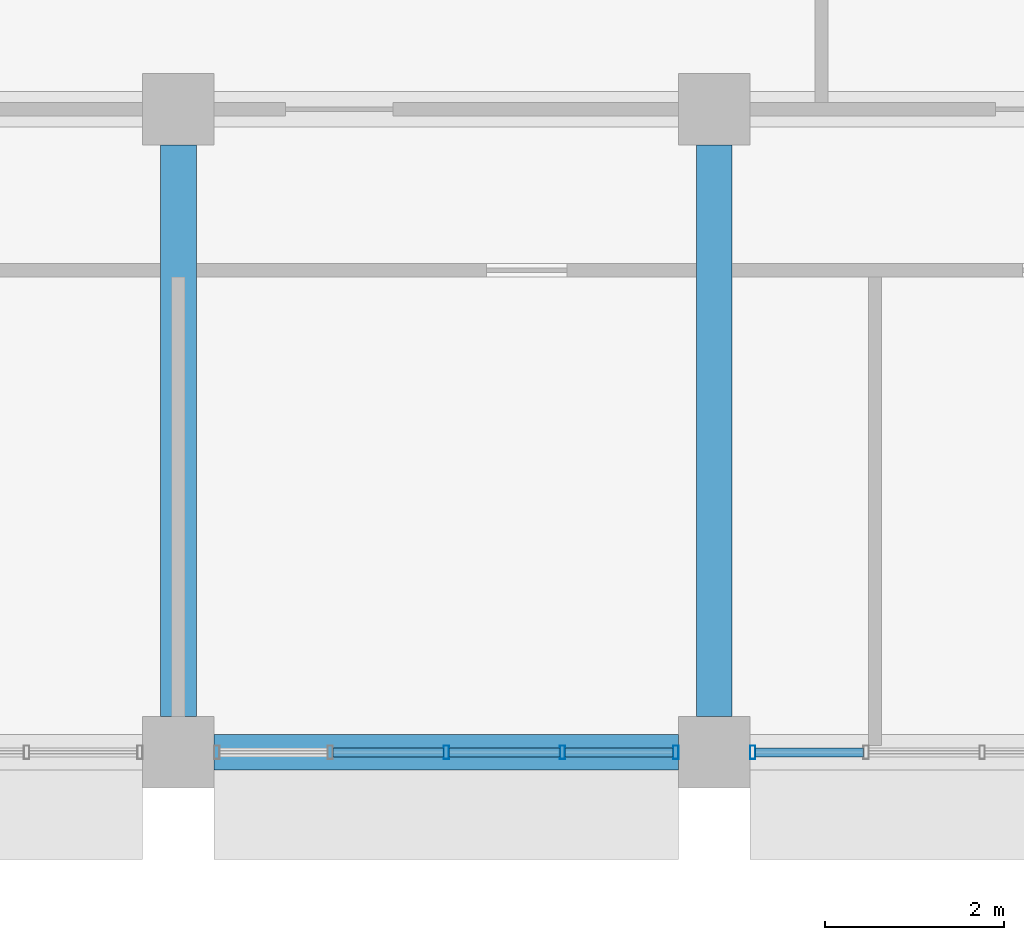
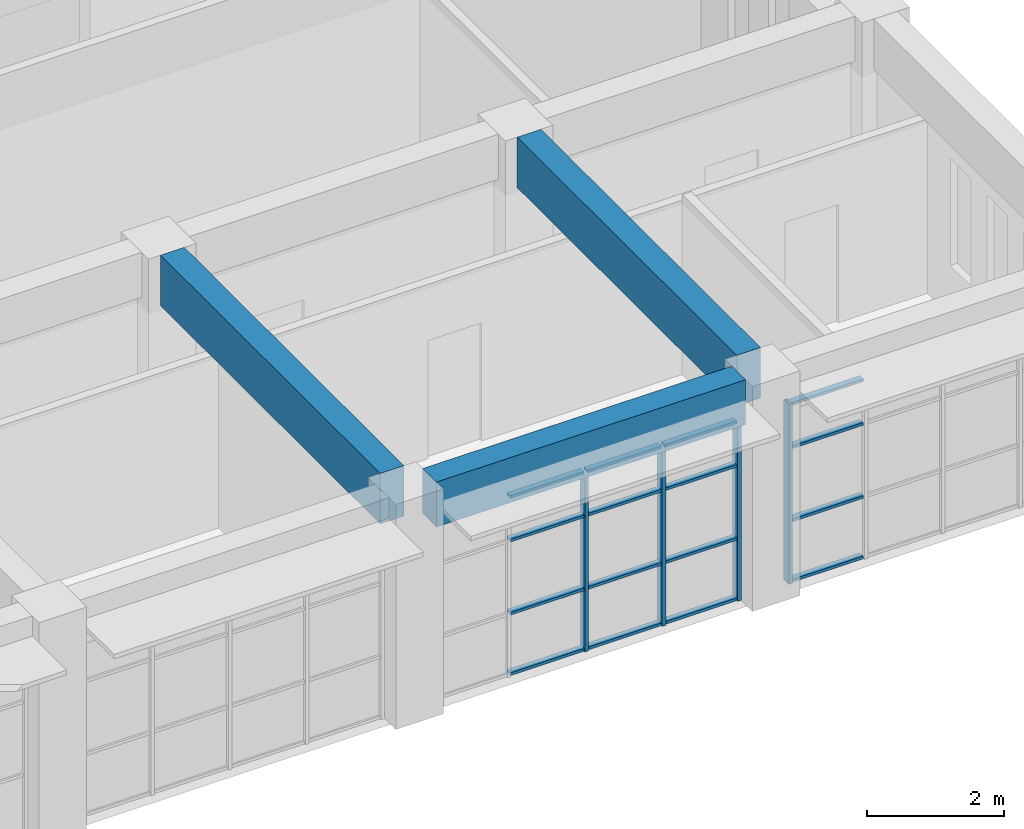
# One storey, part 14 of 47: 20 members, 3 beams, 2 elements without a shape of their own.
"""IFC4 building model written with IfcOpenShell, lengths in metres."""

from ifc_helpers import new_model, si_unit, direction, frame, origin, origin_2d, place, context, subcontext, project, spatial, rectangle, hollow_rectangle, extrude, material, material_profile, profile_set, type_object, element, aggregate, save


model = new_model("IFC4")

# Units and contexts
model_context = context("Model", 3, precision=1e-05, world=origin(), true_north=direction((0.0, 1.0)))
body_context = subcontext(model_context, "Body", "Model", "MODEL_VIEW")
ifc_project = project(units=[si_unit("LENGTHUNIT", "METRE"), si_unit("AREAUNIT", "SQUARE_METRE"), si_unit("VOLUMEUNIT", "CUBIC_METRE"), si_unit("PLANEANGLEUNIT", "RADIAN"), si_unit("MASSUNIT", "GRAM", prefix="KILO")], contexts=[model_context])

# Site, building, storey
site_placement = place(None, origin())
site = spatial("IfcSite", under=ifc_project, at=site_placement, CompositionType="ELEMENT")
building_placement = place(site_placement, origin())
building = spatial("IfcBuilding", under=site, at=building_placement, Name="Laocheng Heights Fire and Rescue Headquarters", CompositionType="ELEMENT")
storey_placement = place(building_placement, frame((0.0, 0.0, 16.800048828125)))
storey = spatial("IfcBuildingStorey", under=building, at=storey_placement, Name="L04", CompositionType="ELEMENT", Elevation=16.800048828125)

# Curtain wall, members
ifc_material_1 = material(Name="Dark anodised aluminium unitised curtain wall, low-e double glazing", Category="aluminium")
curtain_wall_type = type_object("IfcCurtainWallType", Name="CW 5200 x 3200 HQ SOUTH RIBBON", PredefinedType="NOTDEFINED", material=ifc_material_1)
curtain_wall_1_placement = place(storey_placement, origin())
curtain_wall_1 = element("IfcCurtainWall", 1, at=curtain_wall_1_placement, inside=storey, type_object=curtain_wall_type, Name="X13-X HQ SOUTH L04", PredefinedType="NOTDEFINED")
ifc_material_2 = material(Name="Dark anodised aluminium 6063-T5 extrusion", Category="aluminium")
ifc_material_profile_1 = material_profile(ifc_material_2, hollow_rectangle(XDim=0.14990234375, YDim=0.06005859375, WallThickness=0.0029296875, at=origin_2d()), Name="AL MULLION 150x60x3 HQ SOUTH RIBBON")
ifc_profile_set_1 = profile_set([ifc_material_profile_1], Name="Dark anodised aluminium 6063-T5 extrusion")
member_type_1 = type_object("IfcMemberType", Name="AL MULLION 150x60x3 HQ SOUTH RIBBON", PredefinedType="MULLION", material=ifc_profile_set_1)
member_1_placement = place(storey_placement, frame((75.0, 50.39990234375, 0.0), z_axis=(0.0, 0.0, 1.0), x_axis=(0.0, 1.0, 0.0)))
member_1 = element("IfcMember", 2, at=member_1_placement, type_object=member_type_1, Name="X13-X mullion 3", PredefinedType="MULLION", context=body_context, shape_type="SweptSolid", body=[
    extrude(hollow_rectangle(XDim=0.14990234375, YDim=0.06005859375, WallThickness=0.0029296875, at=origin_2d()), origin(), (0.0, 0.0, 1.0), 3.199951171875),
])
member_2_placement = place(storey_placement, frame((76.300048828125, 50.39990234375, 0.0), z_axis=(0.0, 0.0, 1.0), x_axis=(0.0, 1.0, 0.0)))
member_2 = element("IfcMember", 3, at=member_2_placement, type_object=member_type_1, Name="X13-X mullion 4", PredefinedType="MULLION", context=body_context, shape_type="SweptSolid", body=[
    extrude(hollow_rectangle(XDim=0.14990234375, YDim=0.06005859375, WallThickness=0.0029296875, at=origin_2d()), origin(), (0.0, 0.0, 1.0), 3.199951171875),
])
member_3_placement = place(storey_placement, frame((77.570068359375, 50.39990234375, 0.0), z_axis=(0.0, 0.0, 1.0), x_axis=(0.0, 1.0, 0.0)))
member_3 = element("IfcMember", 4, at=member_3_placement, type_object=member_type_1, Name="X13-X mullion 5", PredefinedType="MULLION", context=body_context, shape_type="SweptSolid", body=[
    extrude(hollow_rectangle(XDim=0.14990234375, YDim=0.06005859375, WallThickness=0.0029296875, at=origin_2d()), origin(), (0.0, 0.0, 1.0), 3.199951171875),
])

# Curtain wall, member
curtain_wall_2_placement = place(storey_placement, origin())
curtain_wall_2 = element("IfcCurtainWall", 5, at=curtain_wall_2_placement, inside=storey, type_object=curtain_wall_type, Name="X13-X HQ SOUTH L04", PredefinedType="NOTDEFINED")
member_4_placement = place(storey_placement, frame((78.429931640625, 50.39990234375, 0.0), z_axis=(0.0, 0.0, 1.0), x_axis=(0.0, 1.0, 0.0)))
member_4 = element("IfcMember", 6, at=member_4_placement, type_object=member_type_1, Name="X13-X mullion 1", PredefinedType="MULLION", context=body_context, shape_type="SweptSolid", body=[
    extrude(hollow_rectangle(XDim=0.14990234375, YDim=0.06005859375, WallThickness=0.0029296875, at=origin_2d()), origin(), (0.0, 0.0, 1.0), 3.199951171875),
])

# Member
ifc_material_3 = material(Name="Dark anodised aluminium 6063-T5 extrusion", Category="aluminium")
ifc_material_profile_2 = material_profile(ifc_material_3, hollow_rectangle(XDim=0.10009765625, YDim=0.050048828125, WallThickness=0.0029296875, at=origin_2d()), Name="AL TRANSOM 100x50x3 HQ SOUTH RIBBON")
ifc_profile_set_2 = profile_set([ifc_material_profile_2], Name="Dark anodised aluminium 6063-T5 extrusion")
member_type_2 = type_object("IfcMemberType", Name="AL TRANSOM 100x50x3 HQ SOUTH RIBBON", PredefinedType="USERDEFINED", material=ifc_profile_set_2)
member_5_placement = place(storey_placement, frame((73.72998046875, 50.39990234375, 0.02490234375), z_axis=(1.0, 0.0, 0.0), x_axis=(0.0, 1.0, 0.0)))
member_5 = element("IfcMember", 7, at=member_5_placement, type_object=member_type_2, Name="X13-X transom 2.1", ObjectType="TRANSOM", PredefinedType="USERDEFINED", context=body_context, shape_type="SweptSolid", body=[
    extrude(hollow_rectangle(XDim=0.10009765625, YDim=0.050048828125, WallThickness=0.0029296875, at=origin_2d()), origin(), (0.0, 0.0, 1.0), 1.239990234375),
])

member_6_placement = place(storey_placement, frame((73.72998046875, 50.39990234375, 1.099853515625), z_axis=(1.0, 0.0, 0.0), x_axis=(0.0, 1.0, 0.0)))
member_6 = element("IfcMember", 8, at=member_6_placement, type_object=member_type_2, Name="X13-X transom 2.2", ObjectType="TRANSOM", PredefinedType="USERDEFINED", context=body_context, shape_type="SweptSolid", body=[
    extrude(hollow_rectangle(XDim=0.10009765625, YDim=0.050048828125, WallThickness=0.0029296875, at=origin_2d()), origin(), (0.0, 0.0, 1.0), 1.239990234375),
])

member_7_placement = place(storey_placement, frame((73.72998046875, 50.39990234375, 2.39990234375), z_axis=(1.0, 0.0, 0.0), x_axis=(0.0, 1.0, 0.0)))
member_7 = element("IfcMember", 9, at=member_7_placement, type_object=member_type_2, Name="X13-X transom 2.3", ObjectType="TRANSOM", PredefinedType="USERDEFINED", context=body_context, shape_type="SweptSolid", body=[
    extrude(hollow_rectangle(XDim=0.10009765625, YDim=0.050048828125, WallThickness=0.0029296875, at=origin_2d()), origin(), (0.0, 0.0, 1.0), 1.239990234375),
])

member_8_placement = place(storey_placement, frame((73.72998046875, 50.39990234375, 3.175048828125), z_axis=(1.0, 0.0, 0.0), x_axis=(0.0, 1.0, 0.0)))
member_8 = element("IfcMember", 10, at=member_8_placement, type_object=member_type_2, Name="X13-X transom 2.4", ObjectType="TRANSOM", PredefinedType="USERDEFINED", context=body_context, shape_type="SweptSolid", body=[
    extrude(hollow_rectangle(XDim=0.10009765625, YDim=0.050048828125, WallThickness=0.0029296875, at=origin_2d()), origin(), (0.0, 0.0, 1.0), 1.239990234375),
])

member_9_placement = place(storey_placement, frame((75.030029296875, 50.39990234375, 0.02490234375), z_axis=(1.0, 0.0, 0.0), x_axis=(0.0, 1.0, 0.0)))
member_9 = element("IfcMember", 11, at=member_9_placement, type_object=member_type_2, Name="X13-X transom 3.1", ObjectType="TRANSOM", PredefinedType="USERDEFINED", context=body_context, shape_type="SweptSolid", body=[
    extrude(hollow_rectangle(XDim=0.10009765625, YDim=0.050048828125, WallThickness=0.0029296875, at=origin_2d()), origin(), (0.0, 0.0, 1.0), 1.239990234375),
])

member_10_placement = place(storey_placement, frame((75.030029296875, 50.39990234375, 1.099853515625), z_axis=(1.0, 0.0, 0.0), x_axis=(0.0, 1.0, 0.0)))
member_10 = element("IfcMember", 12, at=member_10_placement, type_object=member_type_2, Name="X13-X transom 3.2", ObjectType="TRANSOM", PredefinedType="USERDEFINED", context=body_context, shape_type="SweptSolid", body=[
    extrude(hollow_rectangle(XDim=0.10009765625, YDim=0.050048828125, WallThickness=0.0029296875, at=origin_2d()), origin(), (0.0, 0.0, 1.0), 1.239990234375),
])

member_11_placement = place(storey_placement, frame((75.030029296875, 50.39990234375, 2.39990234375), z_axis=(1.0, 0.0, 0.0), x_axis=(0.0, 1.0, 0.0)))
member_11 = element("IfcMember", 13, at=member_11_placement, type_object=member_type_2, Name="X13-X transom 3.3", ObjectType="TRANSOM", PredefinedType="USERDEFINED", context=body_context, shape_type="SweptSolid", body=[
    extrude(hollow_rectangle(XDim=0.10009765625, YDim=0.050048828125, WallThickness=0.0029296875, at=origin_2d()), origin(), (0.0, 0.0, 1.0), 1.239990234375),
])

member_12_placement = place(storey_placement, frame((75.030029296875, 50.39990234375, 3.175048828125), z_axis=(1.0, 0.0, 0.0), x_axis=(0.0, 1.0, 0.0)))
member_12 = element("IfcMember", 14, at=member_12_placement, type_object=member_type_2, Name="X13-X transom 3.4", ObjectType="TRANSOM", PredefinedType="USERDEFINED", context=body_context, shape_type="SweptSolid", body=[
    extrude(hollow_rectangle(XDim=0.10009765625, YDim=0.050048828125, WallThickness=0.0029296875, at=origin_2d()), origin(), (0.0, 0.0, 1.0), 1.239990234375),
])

member_13_placement = place(storey_placement, frame((76.330078125, 50.39990234375, 0.02490234375), z_axis=(1.0, 0.0, 0.0), x_axis=(0.0, 1.0, 0.0)))
member_13 = element("IfcMember", 15, at=member_13_placement, type_object=member_type_2, Name="X13-X transom 4.1", ObjectType="TRANSOM", PredefinedType="USERDEFINED", context=body_context, shape_type="SweptSolid", body=[
    extrude(hollow_rectangle(XDim=0.10009765625, YDim=0.050048828125, WallThickness=0.0029296875, at=origin_2d()), origin(), (0.0, 0.0, 1.0), 1.2099609375),
])

member_14_placement = place(storey_placement, frame((76.330078125, 50.39990234375, 1.099853515625), z_axis=(1.0, 0.0, 0.0), x_axis=(0.0, 1.0, 0.0)))
member_14 = element("IfcMember", 16, at=member_14_placement, type_object=member_type_2, Name="X13-X transom 4.2", ObjectType="TRANSOM", PredefinedType="USERDEFINED", context=body_context, shape_type="SweptSolid", body=[
    extrude(hollow_rectangle(XDim=0.10009765625, YDim=0.050048828125, WallThickness=0.0029296875, at=origin_2d()), origin(), (0.0, 0.0, 1.0), 1.2099609375),
])

member_15_placement = place(storey_placement, frame((76.330078125, 50.39990234375, 2.39990234375), z_axis=(1.0, 0.0, 0.0), x_axis=(0.0, 1.0, 0.0)))
member_15 = element("IfcMember", 17, at=member_15_placement, type_object=member_type_2, Name="X13-X transom 4.3", ObjectType="TRANSOM", PredefinedType="USERDEFINED", context=body_context, shape_type="SweptSolid", body=[
    extrude(hollow_rectangle(XDim=0.10009765625, YDim=0.050048828125, WallThickness=0.0029296875, at=origin_2d()), origin(), (0.0, 0.0, 1.0), 1.2099609375),
])

member_16_placement = place(storey_placement, frame((76.330078125, 50.39990234375, 3.175048828125), z_axis=(1.0, 0.0, 0.0), x_axis=(0.0, 1.0, 0.0)))
member_16 = element("IfcMember", 18, at=member_16_placement, type_object=member_type_2, Name="X13-X transom 4.4", ObjectType="TRANSOM", PredefinedType="USERDEFINED", context=body_context, shape_type="SweptSolid", body=[
    extrude(hollow_rectangle(XDim=0.10009765625, YDim=0.050048828125, WallThickness=0.0029296875, at=origin_2d()), origin(), (0.0, 0.0, 1.0), 1.2099609375),
])

aggregate(curtain_wall_1, [member_1, member_2, member_3, member_5, member_6, member_7, member_8, member_9, member_10, member_11, member_12, member_13, member_14, member_15, member_16])

member_17_placement = place(storey_placement, frame((78.4599609375, 50.39990234375, 0.02490234375), z_axis=(1.0, 0.0, 0.0), x_axis=(0.0, 1.0, 0.0)))
member_17 = element("IfcMember", 19, at=member_17_placement, type_object=member_type_2, Name="X13-X transom 1.1", ObjectType="TRANSOM", PredefinedType="USERDEFINED", context=body_context, shape_type="SweptSolid", body=[
    extrude(hollow_rectangle(XDim=0.10009765625, YDim=0.050048828125, WallThickness=0.0029296875, at=origin_2d()), origin(), (0.0, 0.0, 1.0), 1.2099609375),
])

member_18_placement = place(storey_placement, frame((78.4599609375, 50.39990234375, 1.099853515625), z_axis=(1.0, 0.0, 0.0), x_axis=(0.0, 1.0, 0.0)))
member_18 = element("IfcMember", 20, at=member_18_placement, type_object=member_type_2, Name="X13-X transom 1.2", ObjectType="TRANSOM", PredefinedType="USERDEFINED", context=body_context, shape_type="SweptSolid", body=[
    extrude(hollow_rectangle(XDim=0.10009765625, YDim=0.050048828125, WallThickness=0.0029296875, at=origin_2d()), origin(), (0.0, 0.0, 1.0), 1.2099609375),
])

member_19_placement = place(storey_placement, frame((78.4599609375, 50.39990234375, 2.39990234375), z_axis=(1.0, 0.0, 0.0), x_axis=(0.0, 1.0, 0.0)))
member_19 = element("IfcMember", 21, at=member_19_placement, type_object=member_type_2, Name="X13-X transom 1.3", ObjectType="TRANSOM", PredefinedType="USERDEFINED", context=body_context, shape_type="SweptSolid", body=[
    extrude(hollow_rectangle(XDim=0.10009765625, YDim=0.050048828125, WallThickness=0.0029296875, at=origin_2d()), origin(), (0.0, 0.0, 1.0), 1.2099609375),
])

member_20_placement = place(storey_placement, frame((78.4599609375, 50.39990234375, 3.175048828125), z_axis=(1.0, 0.0, 0.0), x_axis=(0.0, 1.0, 0.0)))
member_20 = element("IfcMember", 22, at=member_20_placement, type_object=member_type_2, Name="X13-X transom 1.4", ObjectType="TRANSOM", PredefinedType="USERDEFINED", context=body_context, shape_type="SweptSolid", body=[
    extrude(hollow_rectangle(XDim=0.10009765625, YDim=0.050048828125, WallThickness=0.0029296875, at=origin_2d()), origin(), (0.0, 0.0, 1.0), 1.2099609375),
])

aggregate(curtain_wall_2, [member_4, member_17, member_18, member_19, member_20])

# Beams
ifc_material_4 = material(Name="Concrete C40", Category="concrete")
ifc_material_profile_3 = material_profile(ifc_material_4, rectangle(XDim=0.39990234375, YDim=0.800048828125, at=origin_2d()), Name="RC BEAM 400x800 HQ")
ifc_profile_set_3 = profile_set([ifc_material_profile_3], Name="Concrete C40")
beam_type_1 = type_object("IfcBeamType", Name="RC BEAM 400x800 HQ", PredefinedType="BEAM", material=ifc_profile_set_3)
beam_placement = place(storey_placement, frame((72.39990234375, 50.39990234375, 3.599853515625), z_axis=(1.0, 0.0, 0.0), x_axis=(0.0, 1.0, 0.0)))
element("IfcBeam", 23, at=beam_placement, inside=storey, type_object=beam_type_1, Name="HQ beam L04", PredefinedType="BEAM", context=body_context, shape_type="SweptSolid", body=[
    extrude(rectangle(XDim=0.39990234375, YDim=0.800048828125, at=origin_2d()), origin(), (0.0, 0.0, 1.0), 5.2001953125),
])
ifc_material_5 = material(Name="Concrete C40", Category="concrete")
ifc_material_profile_4 = material_profile(ifc_material_5, rectangle(XDim=0.39990234375, YDim=0.89990234375, at=origin_2d()), Name="RC BEAM 400x900 HQ")
ifc_profile_set_4 = profile_set([ifc_material_profile_4], Name="Concrete C40")
beam_type_2 = type_object("IfcBeamType", Name="RC BEAM 400x900 HQ", PredefinedType="BEAM", material=ifc_profile_set_4)
for number, where, z_axis, x_axis, name in (
    (24, (72.0, 50.800048828125, 3.550048828125), (0.0, 1.0, 0.0), (-1.0, 0.0, 0.0), "HQ beam L04"),
    (25, (78.0, 50.800048828125, 3.550048828125), (0.0, 1.0, 0.0), (-1.0, 0.0, 0.0), "HQ beam L04"),
):
    element("IfcBeam", number, at=place(storey_placement, frame(where, z_axis=z_axis, x_axis=x_axis)), inside=storey, type_object=beam_type_2, Name=name, PredefinedType="BEAM", context=body_context, shape_type="SweptSolid", body=[
        extrude(rectangle(XDim=0.39990234375, YDim=0.89990234375, at=origin_2d()), origin(), (0.0, 0.0, 1.0), 6.39990234375),
    ])

save(model, "model.ifc")
